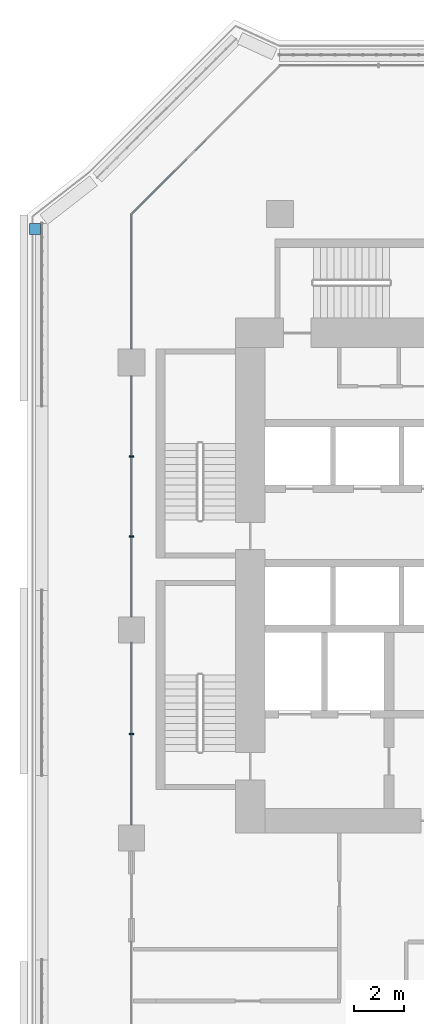
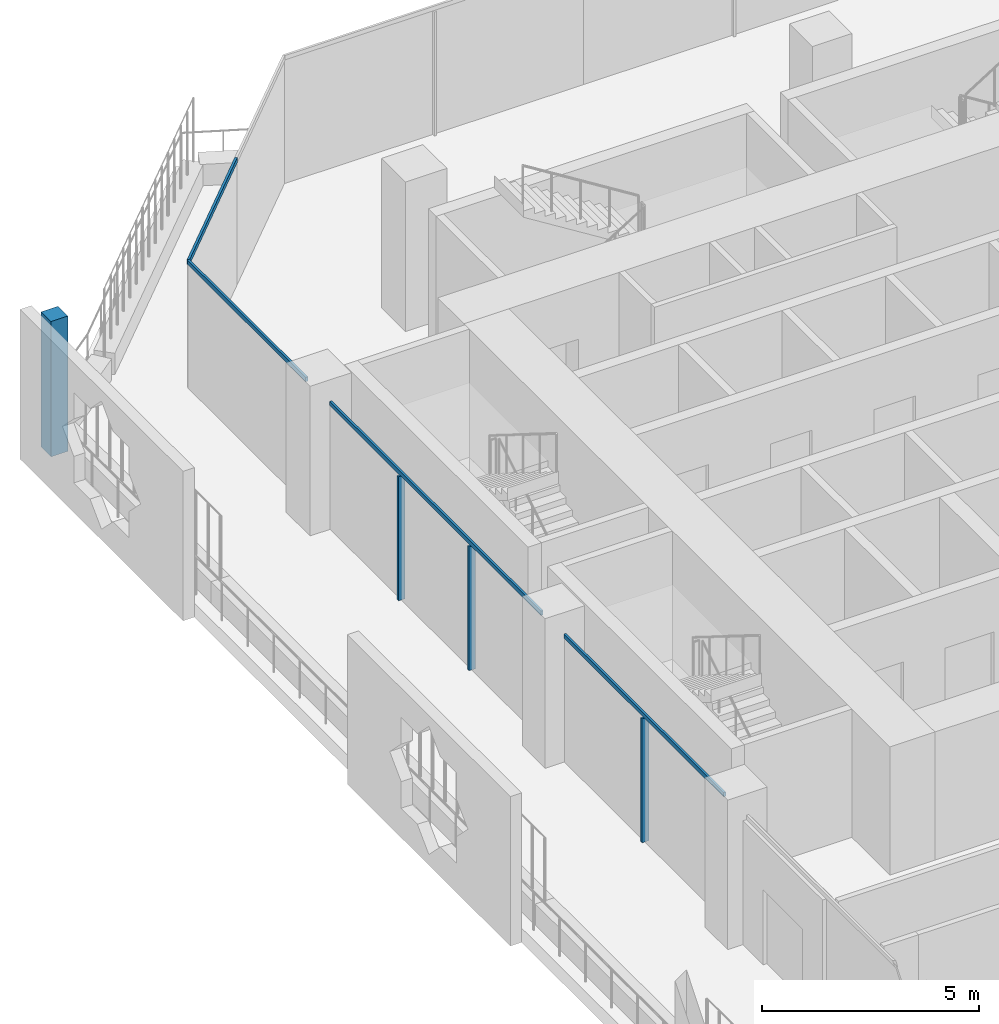
# One storey, part 5 of 26: 8 members, 3 elements without a shape of their own.
"""IFC4 building model written with IfcOpenShell, lengths in metres."""

import ifcopenshell
import ifcopenshell.guid

model = None  # the IFC model being written
_history = None  # IfcOwnerHistory: only IFC2X3 demands one
_inside = {}  # id of a spatial element -> (the spatial element, [elements in it])
_under = {}  # id of a project, library or spatial element -> (it, [spatial elements below it])
_declared = {}  # id of a project -> (the project, [libraries it declares])
_typed = {}  # id of a type object -> (the type object, [elements of that type])
_made_of = {}  # id of a material, layer set ... -> (it, [elements and type objects made of it])


def new_model(schema):
    """Start an empty IFC model of exactly this schema.

    Asked for "IFC4X3", IfcOpenShell would pick the latest addendum, in which some entities
    have other attributes; the version numbers below select the first issue.
    IFC2X3 requires an IfcOwnerHistory on every rooted entity: one is made here for all.
    """
    global model, _history
    if schema == "IFC4X3":
        model = ifcopenshell.file(schema_version=(4, 3, 0, 0))
    else:
        model = ifcopenshell.file(schema=schema)
    _inside.clear()
    _under.clear()
    _declared.clear()
    _typed.clear()
    _made_of.clear()
    _history = None
    if model.schema == "IFC2X3":
        org = make("IfcOrganization", Name="unknown")
        user = make(
            "IfcPersonAndOrganization",
            ThePerson=make("IfcPerson", FamilyName="unknown"),
            TheOrganization=org,
        )
        app = make(
            "IfcApplication",
            ApplicationDeveloper=org,
            Version="unknown",
            ApplicationFullName="unknown",
            ApplicationIdentifier="unknown",
        )
        _history = make(
            "IfcOwnerHistory",
            OwningUser=user,
            OwningApplication=app,
            ChangeAction="ADDED",
            CreationDate=0,
        )
    return model


def make(cls, **values):
    """One entity of the class cls with the attributes given. An attribute that is None is left unset."""
    return model.create_entity(
        cls, **{name: value for name, value in values.items() if value is not None}
    )


def rooted(cls, **values):
    """An entity with a GlobalId (a new one), such as an element, a storey or a relation."""
    return make(cls, GlobalId=ifcopenshell.guid.new(), OwnerHistory=_history, **values)


def si_unit(unit_type, name, prefix=None):
    """IfcSIUnit, for example si_unit("LENGTHUNIT", "METRE", prefix="MILLI")."""
    return make("IfcSIUnit", UnitType=unit_type, Prefix=prefix, Name=name)


def assignment(units):
    """IfcUnitAssignment: the units of a project."""
    return None if units is None else make("IfcUnitAssignment", Units=units)


def point(xyz):
    """IfcCartesianPoint."""
    return None if xyz is None else make("IfcCartesianPoint", Coordinates=xyz)


def direction(xyz):
    """IfcDirection."""
    return None if xyz is None else make("IfcDirection", DirectionRatios=xyz)


def frame(location, z_axis=None, x_axis=None):
    """IfcAxis2Placement3D, a coordinate frame: its origin and axes. An axis left out is left unset."""
    return make(
        "IfcAxis2Placement3D",
        Location=point(location),
        Axis=direction(z_axis),
        RefDirection=direction(x_axis),
    )


def frame_2d(location, x_axis=None):
    """IfcAxis2Placement2D, a coordinate frame in the plane: its origin and x axis."""
    return make(
        "IfcAxis2Placement2D", Location=point(location), RefDirection=direction(x_axis)
    )


def origin():
    """The frame at (0, 0, 0) with its axes left unset."""
    return frame((0.0, 0.0, 0.0))


def origin_2d():
    """The frame at (0, 0) in the plane with its x axis left unset."""
    return frame_2d((0.0, 0.0))


def place(relative_to, where):
    """IfcLocalPlacement: puts the frame where relative to a parent placement (None: the world)."""
    return make(
        "IfcLocalPlacement", PlacementRelTo=relative_to, RelativePlacement=where
    )


def context(
    kind, dimensions, precision=None, world=None, true_north=None, identifier=None
):
    """IfcGeometricRepresentationContext, for example the 3D "Model" context."""
    return make(
        "IfcGeometricRepresentationContext",
        ContextIdentifier=identifier,
        ContextType=kind,
        CoordinateSpaceDimension=dimensions,
        Precision=precision,
        WorldCoordinateSystem=world,
        TrueNorth=true_north,
    )


def subcontext(parent, identifier, kind, view, scale=None):
    """IfcGeometricRepresentationSubContext, for example "Body" below "Model"."""
    return make(
        "IfcGeometricRepresentationSubContext",
        ContextIdentifier=identifier,
        ContextType=kind,
        ParentContext=parent,
        TargetScale=scale,
        TargetView=view,
    )


def project(units=None, contexts=None):
    """IfcProject with its units and contexts."""
    return rooted(
        "IfcProject",
        Name="project",
        RepresentationContexts=contexts,
        UnitsInContext=assignment(units),
    )


def spatial(cls, under=None, at=None, **own):
    """A site, building, storey or space (cls), placed at a placement, below another one or the project."""
    s = rooted(cls, ObjectPlacement=at, **own)
    if under is not None:
        _under.setdefault(under.id(), (under, []))[1].append(s)
    return s


def profile(cls, at=None, kind="AREA", **sizes):
    """A parametric profile (cls). Its sizes go by their IFC names, for example OverallWidth=200.0."""
    return make(cls, ProfileType=kind, Position=at, **sizes)


def rectangle(**sizes):
    """IfcRectangleProfileDef."""
    return profile("IfcRectangleProfileDef", **sizes)


def extrude(swept, where, along, depth):
    """IfcExtrudedAreaSolid: the profile swept, set in the frame where, extruded along a direction by depth."""
    return make(
        "IfcExtrudedAreaSolid",
        SweptArea=swept,
        Position=where,
        ExtrudedDirection=direction(along),
        Depth=depth,
    )


def shape(context_of_items, identifier, shape_type, items):
    """IfcShapeRepresentation: the items that make up one representation, for example the "Body"."""
    return make(
        "IfcShapeRepresentation",
        ContextOfItems=context_of_items,
        RepresentationIdentifier=identifier,
        RepresentationType=shape_type,
        Items=items,
    )


def material(Name=None, Category=None):
    """IfcMaterial."""
    return make("IfcMaterial", Name=Name, Category=Category)


def layer(
    of_material, thickness, ventilated=None, Name=None, Category=None, Priority=None
):
    """IfcMaterialLayer: one layer of a wall or slab, of a material (None: an air gap)."""
    return make(
        "IfcMaterialLayer",
        Material=of_material,
        LayerThickness=thickness,
        IsVentilated=ventilated,
        Name=Name,
        Category=Category,
        Priority=Priority,
    )


def layer_set(layers, Name=None):
    """IfcMaterialLayerSet."""
    return make("IfcMaterialLayerSet", MaterialLayers=layers, LayerSetName=Name)


def material_profile(
    of_material, cross_section, Name=None, Category=None, Priority=None
):
    """IfcMaterialProfile: a cross section and its material."""
    return make(
        "IfcMaterialProfile",
        Name=Name,
        Material=of_material,
        Profile=cross_section,
        Priority=Priority,
        Category=Category,
    )


def profile_set(profiles, Name=None, composite=None):
    """IfcMaterialProfileSet."""
    return make(
        "IfcMaterialProfileSet",
        Name=Name,
        MaterialProfiles=profiles,
        CompositeProfile=composite,
    )


def made_of(thing, what):
    """Note that an element or type object is made of a material, layer set ...; save() writes the relation."""
    if what is not None:
        _made_of.setdefault(what.id(), (what, []))[1].append(thing)
    return thing


def type_object(cls, material=None, **own):
    """A type object (cls), such as IfcWallType, which elements share."""
    return made_of(rooted(cls, **own), material)


def element(
    cls,
    number,
    at=None,
    inside=None,
    cuts=None,
    type_object=None,
    material=None,
    context=None,
    identifier="Body",
    shape_type=None,
    held_by="IfcProductDefinitionShape",
    body=None,
    shapes=None,
    **own,
):
    """One element of the class cls, such as IfcWall. Its Tag is "e" and its number.

    at: its placement. inside: the storey or other place that contains it. cuts: it is an
    opening in that element (IfcRelVoidsElement). A single representation is given by context,
    identifier, shape_type and body (its items); several are given by shapes. held_by: the class
    of the entity that holds the representations. save() writes the other relations.
    """
    e = rooted(cls, Tag="e%d" % number, ObjectPlacement=at, **own)
    if body is not None:
        shapes = [shape(context, identifier, shape_type, body)]
    if shapes is not None:
        e.Representation = make(held_by, Representations=shapes)
    if inside is not None:
        _inside.setdefault(inside.id(), (inside, []))[1].append(e)
    if cuts is not None:
        rooted(
            "IfcRelVoidsElement", RelatingBuildingElement=cuts, RelatedOpeningElement=e
        )
    if type_object is not None:
        _typed.setdefault(type_object.id(), (type_object, []))[1].append(e)
    return made_of(e, material)


def aggregate(whole, parts):
    """IfcRelAggregates: a whole, such as a stair, and the parts it consists of."""
    return rooted("IfcRelAggregates", RelatingObject=whole, RelatedObjects=parts)


def save(model, path):
    """Write the relations noted so far, then the file.

    IfcRelAggregates (storeys below a building ...), IfcRelContainedInSpatialStructure (elements
    in a storey), IfcRelDefinesByType, IfcRelAssociatesMaterial and IfcRelDeclares: one each for
    every whole, place, type object, material and project.
    """
    for whole, parts in _under.values():
        aggregate(whole, parts)
    for where, things in _inside.values():
        rooted(
            "IfcRelContainedInSpatialStructure",
            RelatedElements=things,
            RelatingStructure=where,
        )
    for kind, things in _typed.values():
        rooted("IfcRelDefinesByType", RelatedObjects=things, RelatingType=kind)
    for what, things in _made_of.values():
        rooted("IfcRelAssociatesMaterial", RelatedObjects=things, RelatingMaterial=what)
    for by, libraries in _declared.values():
        rooted("IfcRelDeclares", RelatingContext=by, RelatedDefinitions=libraries)
    model.write(path)


model = new_model("IFC4")

# Units and contexts
model_context = context("Model", 3, precision=1e-05, world=origin(), true_north=direction((0.0, 1.0)))
body_context = subcontext(model_context, "Body", "Model", "MODEL_VIEW")
ifc_project = project(units=[si_unit("LENGTHUNIT", "METRE"), si_unit("AREAUNIT", "SQUARE_METRE"), si_unit("VOLUMEUNIT", "CUBIC_METRE"), si_unit("PLANEANGLEUNIT", "RADIAN"), si_unit("MASSUNIT", "GRAM", prefix="KILO")], contexts=[model_context])

# Site, building, storey
site_placement = place(None, origin())
site = spatial("IfcSite", under=ifc_project, at=site_placement, CompositionType="ELEMENT")
building_placement = place(site_placement, origin())
building = spatial("IfcBuilding", under=site, at=building_placement, Name="Kawkab Arch Medical Tower", CompositionType="ELEMENT")
storey_placement = place(building_placement, frame((0.0, 0.0, 119.800048828125)))
storey = spatial("IfcBuildingStorey", under=building, at=storey_placement, Name="L27", CompositionType="ELEMENT", Elevation=119.800048828125)

# Curtain wall, members
ifc_material_1 = material(Name="Bronze anodised aluminium curtain wall frame", Category="aluminium")
ifc_layer_1 = layer(ifc_material_1, 0.159912109375)
ifc_layer_set_1 = layer_set([ifc_layer_1], Name="Bronze anodised aluminium curtain wall frame")
curtain_wall_type_1 = type_object("IfcCurtainWallType", Name="CW1 ward curtain wall", PredefinedType="NOTDEFINED", material=ifc_layer_set_1)
placement = place(storey_placement, origin())
curtain_wall_1 = element("IfcCurtainWall", 1, at=placement, inside=storey, type_object=curtain_wall_type_1, Name="CW1 Ward curtain wall R01", PredefinedType="NOTDEFINED")
ifc_material_2 = material(Name="Bronze anodised aluminium curtain wall frame", Category="aluminium")
ifc_material_profile_1 = material_profile(ifc_material_2, rectangle(XDim=0.179931640625, YDim=0.06005859375, at=origin_2d()), Name="AL 60x180")
ifc_profile_set_1 = profile_set([ifc_material_profile_1], Name="Bronze anodised aluminium curtain wall frame")
member_type_1 = type_object("IfcMemberType", Name="CW1 mullion 60 x 180", PredefinedType="MULLION", material=ifc_profile_set_1)
member_1_placement = place(storey_placement, frame((0.0, -9.791748046875, 0.0), z_axis=(0.0, 0.0, 1.0), x_axis=(1.0, 0.0, 0.0)))
member_1 = element("IfcMember", 2, at=member_1_placement, type_object=member_type_1, Name="CW1 mullion 2.1", PredefinedType="MULLION", context=body_context, shape_type="SweptSolid", body=[
    extrude(rectangle(XDim=0.179931640625, YDim=0.06005859375, at=origin_2d()), origin(), (0.0, 0.0, 1.0), 3.47998046875),
])
member_2_placement = place(storey_placement, frame((0.0, -13.033447265625, 0.0), z_axis=(0.0, 0.0, 1.0), x_axis=(1.0, 0.0, 0.0)))
member_2 = element("IfcMember", 3, at=member_2_placement, type_object=member_type_1, Name="CW1 mullion 2.2", PredefinedType="MULLION", context=body_context, shape_type="SweptSolid", body=[
    extrude(rectangle(XDim=0.179931640625, YDim=0.06005859375, at=origin_2d()), origin(), (0.0, 0.0, 1.0), 3.47998046875),
])
member_3_placement = place(storey_placement, frame((0.0, -21.0, 0.0), z_axis=(0.0, 0.0, 1.0), x_axis=(1.0, 0.0, 0.0)))
member_3 = element("IfcMember", 4, at=member_3_placement, type_object=member_type_1, Name="CW1 mullion 3.1", PredefinedType="MULLION", context=body_context, shape_type="SweptSolid", body=[
    extrude(rectangle(XDim=0.179931640625, YDim=0.06005859375, at=origin_2d()), origin(), (0.0, 0.0, 1.0), 3.47998046875),
])
ifc_material_3 = material(Name="Bronze anodised aluminium curtain wall frame", Category="aluminium")
ifc_material_profile_2 = material_profile(ifc_material_3, rectangle(XDim=0.06005859375, YDim=0.1201171875, at=origin_2d()), Name="AL 60x120")
ifc_profile_set_2 = profile_set([ifc_material_profile_2], Name="Bronze anodised aluminium curtain wall frame")
member_type_2 = type_object("IfcMemberType", Name="CW1 transom 120 x 60", PredefinedType="USERDEFINED", material=ifc_profile_set_2)
member_4_placement = place(storey_placement, frame((0.0, 0.0, 3.5400390625), z_axis=(0.0, -1.0, 0.0), x_axis=(1.0, 0.0, 0.0)))
member_4 = element("IfcMember", 5, at=member_4_placement, type_object=member_type_2, Name="CW1 transom 1", ObjectType="TRANSOM", PredefinedType="USERDEFINED", context=body_context, shape_type="SweptSolid", body=[
    extrude(rectangle(XDim=0.06005859375, YDim=0.1201171875, at=origin_2d()), origin(), (0.0, 0.0, 1.0), 5.449951171875),
])
member_5_placement = place(storey_placement, frame((0.0, -6.550048828125, 3.5400390625), z_axis=(0.0, -1.0, 0.0), x_axis=(1.0, 0.0, 0.0)))
member_5 = element("IfcMember", 6, at=member_5_placement, type_object=member_type_2, Name="CW1 transom 2", ObjectType="TRANSOM", PredefinedType="USERDEFINED", context=body_context, shape_type="SweptSolid", body=[
    extrude(rectangle(XDim=0.06005859375, YDim=0.1201171875, at=origin_2d()), origin(), (0.0, 0.0, 1.0), 9.724853515625),
])
member_6_placement = place(storey_placement, frame((0.0, -17.324951171875, 3.5400390625), z_axis=(0.0, -1.0, 0.0), x_axis=(1.0, 0.0, 0.0)))
member_6 = element("IfcMember", 7, at=member_6_placement, type_object=member_type_2, Name="CW1 transom 3", ObjectType="TRANSOM", PredefinedType="USERDEFINED", context=body_context, shape_type="SweptSolid", body=[
    extrude(rectangle(XDim=0.06005859375, YDim=0.1201171875, at=origin_2d()), origin(), (0.0, 0.0, 1.0), 7.35009765625),
])
aggregate(curtain_wall_1, [member_4, member_5, member_1, member_2, member_6, member_3])

# Curtain wall, member
ifc_material_4 = material(Name="Bronze anodised aluminium curtain wall frame", Category="aluminium")
ifc_layer_2 = layer(ifc_material_4, 0.159912109375)
ifc_layer_set_2 = layer_set([ifc_layer_2], Name="Bronze anodised aluminium curtain wall frame")
curtain_wall_type_2 = type_object("IfcCurtainWallType", Name="CW2 chamfer curtain wall", PredefinedType="NOTDEFINED", material=ifc_layer_set_2)
curtain_wall_2 = element("IfcCurtainWall", 8, at=placement, inside=storey, type_object=curtain_wall_type_2, Name="CW2 Chamfer curtain wall R12", PredefinedType="NOTDEFINED")
ifc_material_5 = material(Name="Bronze anodised aluminium curtain wall frame", Category="aluminium")
ifc_material_profile_3 = material_profile(ifc_material_5, rectangle(XDim=0.06005859375, YDim=0.139892578125, at=origin_2d()), Name="AL 60x140")
ifc_profile_set_3 = profile_set([ifc_material_profile_3], Name="Bronze anodised aluminium curtain wall frame")
member_type_3 = type_object("IfcMemberType", Name="CW2 transom 140 x 60", PredefinedType="USERDEFINED", material=ifc_profile_set_3)
member_7_placement = place(storey_placement, frame((3.0, 3.0, 3.530029296875), z_axis=(-0.707106781187, -0.707106781187, 0.0), x_axis=(0.707106781187, -0.707106781187, 0.0)))
member_7 = element("IfcMember", 9, at=member_7_placement, type_object=member_type_3, Name="CW2 transom 2", ObjectType="TRANSOM", PredefinedType="USERDEFINED", context=body_context, shape_type="SweptSolid", body=[
    extrude(rectangle(XDim=0.06005859375, YDim=0.139892578125, at=origin_2d()), origin(), (0.0, 0.0, 1.0), 4.24267578125),
])
aggregate(curtain_wall_2, [member_7])

ifc_material_6 = material(Name="Bronze anodised aluminium climber frame, planted", Category="aluminium")
ifc_layer_3 = layer(ifc_material_6, 0.449951171875)
ifc_layer_set_3 = layer_set([ifc_layer_3], Name="Bronze anodised aluminium climber frame, planted")
curtain_wall_type_3 = type_object("IfcCurtainWallType", Name="Planted climber frame", PredefinedType="NOTDEFINED", material=ifc_layer_set_3)
curtain_wall_3 = element("IfcCurtainWall", 10, at=placement, inside=storey, type_object=curtain_wall_type_3, Name="Planted climber frame L27", PredefinedType="NOTDEFINED")
ifc_material_7 = material(Name="Bronze anodised aluminium climber frame, planted", Category="aluminium")
ifc_material_profile_4 = material_profile(ifc_material_7, rectangle(XDim=0.449951171875, YDim=0.449951171875, at=origin_2d()), Name="Post 450x450")
ifc_profile_set_4 = profile_set([ifc_material_profile_4], Name="Bronze anodised aluminium climber frame, planted")
member_type_4 = type_object("IfcMemberType", Name="Planted climber post 450 x 450", PredefinedType="MULLION", material=ifc_profile_set_4)
member_8_placement = place(storey_placement, frame((-3.89990234375, -0.596923828125, 0.0), z_axis=(0.0, 0.0, 1.0), x_axis=(1.0, 0.0, 0.0)))
member_8 = element("IfcMember", 11, at=member_8_placement, type_object=member_type_4, Name="Planted climber post L27.LOG-01-01.2", PredefinedType="MULLION", context=body_context, shape_type="SweptSolid", body=[
    extrude(rectangle(XDim=0.449951171875, YDim=0.449951171875, at=origin_2d()), origin(), (0.0, 0.0, 1.0), 3.800048828125),
])
aggregate(curtain_wall_3, [member_8])

save(model, "model.ifc")
